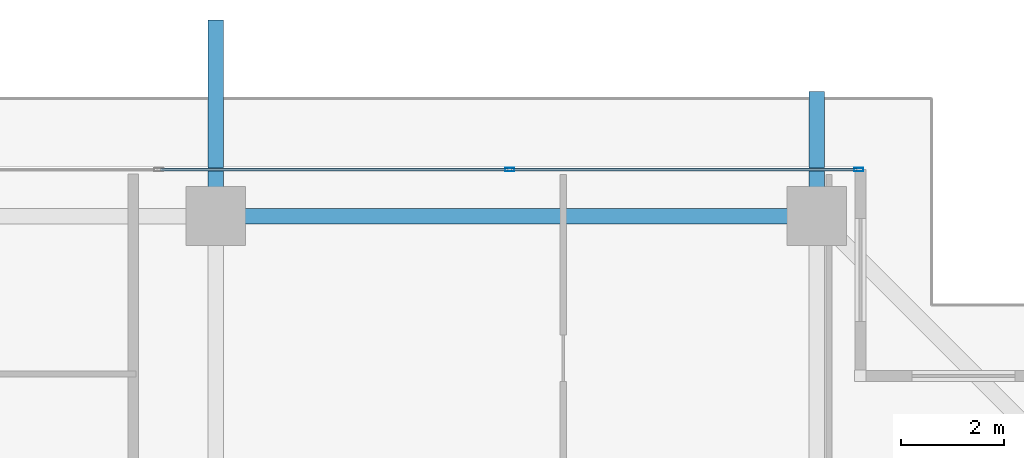
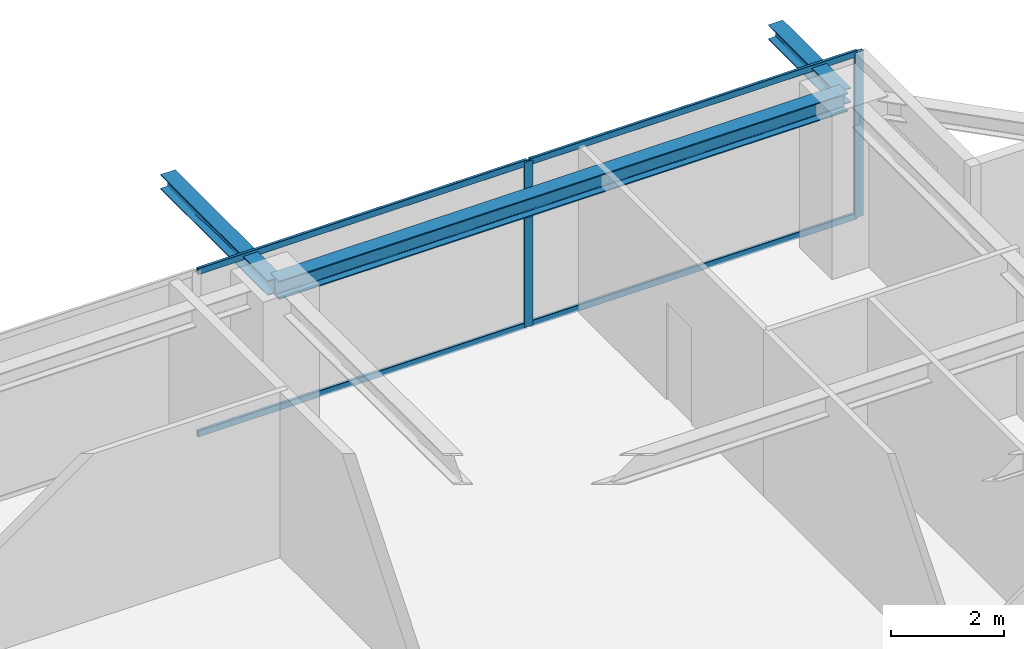
# One storey, part 22 of 37: 6 members, 3 beams, 1 element without a shape of its own.
"""IFC4 building model written with IfcOpenShell, lengths in metres."""

from ifc_helpers import new_model, si_unit, direction, frame, origin, origin_2d, place, context, subcontext, project, spatial, hollow_rectangle, i_section, extrude, source, transform, mapped, material, layer, layer_set, material_profile, profile_set, type_object, element, aggregate, save


model = new_model("IFC4")

# Units and contexts
model_context = context("Model", 3, precision=1e-05, world=origin(), true_north=direction((0.0, 1.0)))
body_context = subcontext(model_context, "Body", "Model", "MODEL_VIEW")
ifc_project = project(units=[si_unit("LENGTHUNIT", "METRE"), si_unit("AREAUNIT", "SQUARE_METRE"), si_unit("VOLUMEUNIT", "CUBIC_METRE"), si_unit("PLANEANGLEUNIT", "RADIAN"), si_unit("MASSUNIT", "GRAM", prefix="KILO")], contexts=[model_context])

# Site, building, storey
site_placement = place(None, origin())
site = spatial("IfcSite", under=ifc_project, at=site_placement, CompositionType="ELEMENT")
building_placement = place(site_placement, origin())
building = spatial("IfcBuilding", under=site, at=building_placement, Name="Serunith Strait Residences", CompositionType="ELEMENT")
storey_placement = place(building_placement, frame((0.0, 0.0, 218.14990234375)))
storey = spatial("IfcBuildingStorey", under=building, at=storey_placement, Name="L54", CompositionType="ELEMENT", Elevation=218.14990234375)

# Beams
ifc_material_1 = material(Name="Steel S355J2", Category="steel")
ifc_material_profile_1 = material_profile(ifc_material_1, i_section(OverallWidth=0.300048828125, OverallDepth=0.39990234375, WebThickness=0.013427734375, FlangeThickness=0.02392578125, FilletRadius=0.027099609375, at=origin_2d()), Name="HEB 400")
ifc_profile_set_1 = profile_set([ifc_material_profile_1], Name="Steel S355J2")
beam_type_1 = type_object("IfcBeamType", Name="BM-HEB400", PredefinedType="BEAM", material=ifc_profile_set_1)
shared_shape_1 = source(origin(), body_context, "Body", "SweptSolid", [
    extrude(i_section(OverallWidth=0.300048828125, OverallDepth=0.39990234375, WebThickness=0.013427734375, FlangeThickness=0.02392578125, FilletRadius=0.027099609375, at=origin_2d()), origin(), (0.0, 0.0, 1.0), 11.650146484375),
])
beam_1_placement = place(storey_placement, frame((48.550048828125, 48.300048828125, 3.38720703125), z_axis=(-1.0, 0.0, 0.0), x_axis=(0.0, -1.0, 0.0)))
element("IfcBeam", 1, at=beam_1_placement, inside=storey, type_object=beam_type_1, Name="L54 Perimeter Ring Beam 09", PredefinedType="BEAM", context=body_context, shape_type="MappedRepresentation", body=[
    mapped(shared_shape_1, transform((0.0, 0.0, 0.0), scale=1.0)),
])
ifc_material_profile_2 = material_profile(ifc_material_1, i_section(OverallWidth=0.300048828125, OverallDepth=0.320068359375, WebThickness=0.011474609375, FlangeThickness=0.0205078125, FilletRadius=0.027099609375, at=origin_2d()), Name="HEB 320")
ifc_profile_set_2 = profile_set([ifc_material_profile_2], Name="Steel S355J2")
beam_type_2 = type_object("IfcBeamType", Name="BM-HEB320", PredefinedType="BEAM", material=ifc_profile_set_2)
shared_shape_2 = source(origin(), body_context, "Body", "SweptSolid", [
    extrude(i_section(OverallWidth=0.300048828125, OverallDepth=0.320068359375, WebThickness=0.011474609375, FlangeThickness=0.0205078125, FilletRadius=0.027099609375, at=origin_2d()), origin(), (0.0, 0.0, 1.0), 3.800048828125),
])
beam_2_placement = place(storey_placement, frame((36.89990234375, 48.300048828125, 3.397216796875), z_axis=(0.0, 1.0, 0.0), x_axis=(-1.0, 0.0, 0.0)))
element("IfcBeam", 2, at=beam_2_placement, inside=storey, type_object=beam_type_2, Name="L55 Cantilevered Balcony Rib TC-N3", PredefinedType="BEAM", context=body_context, shape_type="MappedRepresentation", body=[
    mapped(shared_shape_2, transform((0.0, 0.0, 0.0), scale=1.0)),
])
shared_shape_3 = source(origin(), body_context, "Body", "SweptSolid", [
    extrude(i_section(OverallWidth=0.300048828125, OverallDepth=0.320068359375, WebThickness=0.011474609375, FlangeThickness=0.0205078125, FilletRadius=0.027099609375, at=origin_2d()), origin(), (0.0, 0.0, 1.0), 2.416748046875),
])
beam_3_placement = place(storey_placement, frame((48.550048828125, 48.300048828125, 3.397216796875), z_axis=(0.0, 1.0, 0.0), x_axis=(-1.0, 0.0, 0.0)))
element("IfcBeam", 3, at=beam_3_placement, inside=storey, type_object=beam_type_2, Name="L55 Cantilevered Balcony Rib TC-N4", PredefinedType="BEAM", context=body_context, shape_type="MappedRepresentation", body=[
    mapped(shared_shape_3, transform((0.0, 0.0, 0.0), scale=1.0)),
])

# Curtain wall, members
ifc_material_2 = material(Name="Pale-Champagne Anodised Aluminium", Category="aluminium")
ifc_layer = layer(ifc_material_2, 0.199951171875, Name="Pale-Champagne Anodised Aluminium")
ifc_layer_set = layer_set([ifc_layer], Name="Pale-Champagne Anodised Aluminium")
curtain_wall_type = type_object("IfcCurtainWallType", Name="CW-SYS4", PredefinedType="NOTDEFINED", material=ifc_layer_set)
curtain_wall_placement = place(storey_placement, origin())
curtain_wall = element("IfcCurtainWall", 4, at=curtain_wall_placement, inside=storey, type_object=curtain_wall_type, Name="L54 N Unitised Fritted Curtain Wall", PredefinedType="NOTDEFINED")
ifc_material_profile_3 = material_profile(ifc_material_2, hollow_rectangle(XDim=0.06005859375, YDim=0.139892578125, WallThickness=0.00341796875, InnerFilletRadius=0.00537109375, OuterFilletRadius=0.0087890625, at=origin_2d()), Name="ALU 140x60x3.5")
ifc_profile_set_3 = profile_set([ifc_material_profile_3], Name="Pale-Champagne Anodised Aluminium")
member_type_1 = type_object("IfcMemberType", Name="CW-SYS4-TRAN", PredefinedType="USERDEFINED", material=ifc_profile_set_3)
shared_shape_4 = source(origin(), body_context, "Body", "SweptSolid", [
    extrude(hollow_rectangle(XDim=0.06005859375, YDim=0.139892578125, WallThickness=0.00341796875, InnerFilletRadius=0.00537109375, OuterFilletRadius=0.0087890625, at=origin_2d()), origin(), (0.0, 0.0, 1.0), 6.702392578125),
])
member_1_placement = place(storey_placement, frame((49.3349609375, 49.199951171875, 0.030029296875), z_axis=(-1.0, 0.0, 0.0), x_axis=(0.0, -1.0, 0.0)))
member_1 = element("IfcMember", 5, at=member_1_placement, type_object=member_type_1, Name="CW-4 transom 1.1", ObjectType="TRANSOM", PredefinedType="USERDEFINED", context=body_context, shape_type="MappedRepresentation", body=[
    mapped(shared_shape_4, transform((0.0, 0.0, 0.0), scale=1.0)),
])
member_2_placement = place(storey_placement, frame((49.3349609375, 49.199951171875, 3.545166015625), z_axis=(-1.0, 0.0, 0.0), x_axis=(0.0, -1.0, 0.0)))
member_2 = element("IfcMember", 6, at=member_2_placement, type_object=member_type_1, Name="CW-4 transom 1.2", ObjectType="TRANSOM", PredefinedType="USERDEFINED", context=body_context, shape_type="MappedRepresentation", body=[
    mapped(shared_shape_4, transform((0.0, 0.0, 0.0), scale=1.0)),
])
shared_shape_5 = source(origin(), body_context, "Body", "SweptSolid", [
    extrude(hollow_rectangle(XDim=0.06005859375, YDim=0.139892578125, WallThickness=0.00341796875, InnerFilletRadius=0.00537109375, OuterFilletRadius=0.0087890625, at=origin_2d()), origin(), (0.0, 0.0, 1.0), 6.73486328125),
])
member_3_placement = place(storey_placement, frame((42.5673828125, 49.199951171875, 0.030029296875), z_axis=(-1.0, 0.0, 0.0), x_axis=(0.0, -1.0, 0.0)))
member_3 = element("IfcMember", 7, at=member_3_placement, type_object=member_type_1, Name="CW-4 transom 2.1", ObjectType="TRANSOM", PredefinedType="USERDEFINED", context=body_context, shape_type="MappedRepresentation", body=[
    mapped(shared_shape_5, transform((0.0, 0.0, 0.0), scale=1.0)),
])
member_4_placement = place(storey_placement, frame((42.5673828125, 49.199951171875, 3.545166015625), z_axis=(-1.0, 0.0, 0.0), x_axis=(0.0, -1.0, 0.0)))
member_4 = element("IfcMember", 8, at=member_4_placement, type_object=member_type_1, Name="CW-4 transom 2.2", ObjectType="TRANSOM", PredefinedType="USERDEFINED", context=body_context, shape_type="MappedRepresentation", body=[
    mapped(shared_shape_5, transform((0.0, 0.0, 0.0), scale=1.0)),
])
ifc_material_profile_4 = material_profile(ifc_material_2, hollow_rectangle(XDim=0.06494140625, YDim=0.179931640625, WallThickness=0.00341796875, InnerFilletRadius=0.00537109375, OuterFilletRadius=0.0087890625, at=origin_2d()), Name="ALU 180x65x3.5")
ifc_profile_set_4 = profile_set([ifc_material_profile_4], Name="Pale-Champagne Anodised Aluminium")
member_type_2 = type_object("IfcMemberType", Name="CW-SYS4-MULL", PredefinedType="MULLION", material=ifc_profile_set_4)
shared_shape_6 = source(origin(), body_context, "Body", "SweptSolid", [
    extrude(hollow_rectangle(XDim=0.06494140625, YDim=0.179931640625, WallThickness=0.00341796875, InnerFilletRadius=0.00537109375, OuterFilletRadius=0.0087890625, at=origin_2d()), origin(), (0.0, 0.0, 1.0), 3.5751953125),
])
member_5_placement = place(storey_placement, frame((49.367431640625, 49.199951171875, 0.0), z_axis=(0.0, 0.0, 1.0), x_axis=(0.0, -1.0, 0.0)))
member_5 = element("IfcMember", 9, at=member_5_placement, type_object=member_type_2, Name="CW-4 mullion 1", PredefinedType="MULLION", context=body_context, shape_type="MappedRepresentation", body=[
    mapped(shared_shape_6, transform((0.0, 0.0, 0.0), scale=1.0)),
])
member_6_placement = place(storey_placement, frame((42.60009765625, 49.199951171875, 0.0), z_axis=(0.0, 0.0, 1.0), x_axis=(0.0, -1.0, 0.0)))
member_6 = element("IfcMember", 10, at=member_6_placement, type_object=member_type_2, Name="CW-4 mullion 2", PredefinedType="MULLION", context=body_context, shape_type="MappedRepresentation", body=[
    mapped(shared_shape_6, transform((0.0, 0.0, 0.0), scale=1.0)),
])
aggregate(curtain_wall, [member_5, member_6, member_1, member_2, member_3, member_4])

save(model, "model.ifc")
